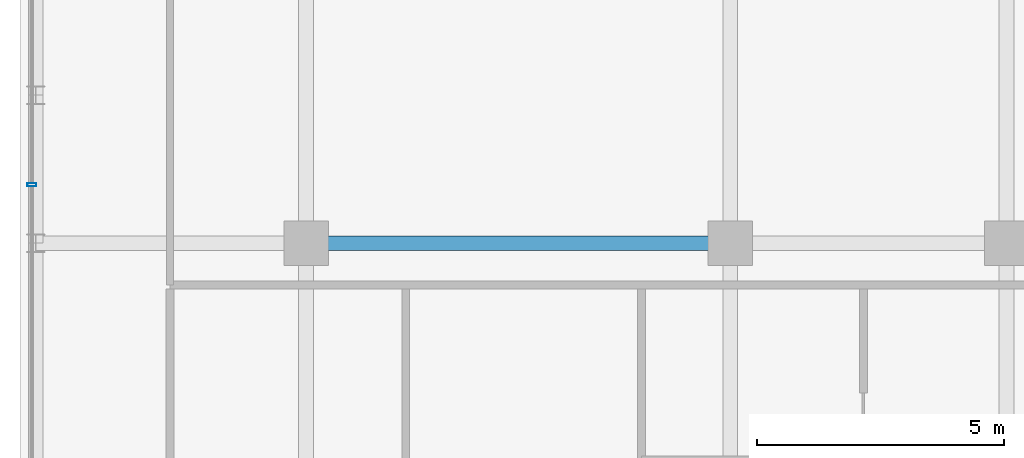
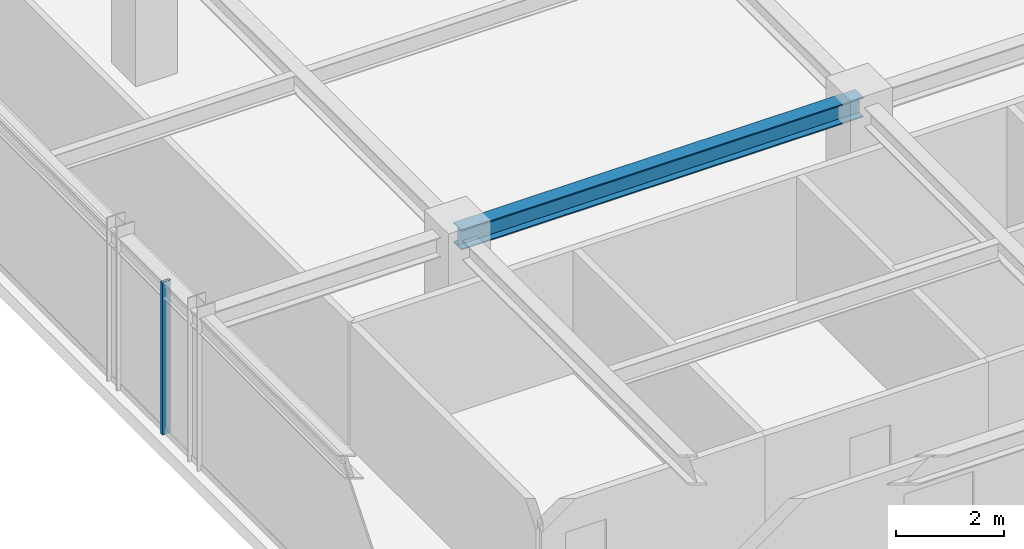
# One storey, part 10 of 31: 1 beam, 1 member, 1 element without a shape of its own.
"""IFC4 building model written with IfcOpenShell, lengths in metres."""

from ifc_helpers import new_model, si_unit, direction, frame, origin, origin_2d, place, context, subcontext, project, spatial, hollow_rectangle, i_section, extrude, source, transform, mapped, material, material_profile, profile_set, type_object, element, aggregate, save


model = new_model("IFC4")

# Units and contexts
model_context = context("Model", 3, precision=1e-05, world=origin(), true_north=direction((0.0, 1.0)))
body_context = subcontext(model_context, "Body", "Model", "MODEL_VIEW")
ifc_project = project(units=[si_unit("LENGTHUNIT", "METRE"), si_unit("AREAUNIT", "SQUARE_METRE"), si_unit("VOLUMEUNIT", "CUBIC_METRE"), si_unit("PLANEANGLEUNIT", "RADIAN"), si_unit("MASSUNIT", "GRAM", prefix="KILO")], contexts=[model_context])

# Site, building, storey
site_placement = place(None, origin())
site = spatial("IfcSite", under=ifc_project, at=site_placement, CompositionType="ELEMENT")
building_placement = place(site_placement, origin())
building = spatial("IfcBuilding", under=site, at=building_placement, Name="Nahalor Promenade Grand Hotel", CompositionType="ELEMENT")
storey_placement = place(building_placement, frame((0.0, 0.0, 281.300048828125)))
storey = spatial("IfcBuildingStorey", under=building, at=storey_placement, Name="L72", CompositionType="ELEMENT", Elevation=281.300048828125)

# Beam
ifc_material_1 = material(Name="Steel S355JR", Category="steel")
ifc_material_profile_1 = material_profile(ifc_material_1, i_section(OverallWidth=0.3, OverallDepth=0.45, WebThickness=0.014, FlangeThickness=0.026, at=origin_2d()), Name="HEB 450")
ifc_profile_set_1 = profile_set([ifc_material_profile_1], Name="Steel S355JR")
beam_type = type_object("IfcBeamType", Name="Beam-Girder-HEB450", PredefinedType="BEAM", material=ifc_profile_set_1)
shared_shape_1 = source(origin(), body_context, "Body", "SweptSolid", [
    extrude(i_section(OverallWidth=0.3, OverallDepth=0.45, WebThickness=0.014, FlangeThickness=0.026, at=origin_2d()), origin(), (0.0, 0.0, 1.0), 8.60009765625),
])
beam_placement = place(storey_placement, frame((-17.0, 5.39990234375, 3.224853515625), z_axis=(1.0, 0.0, 0.0), x_axis=(0.0, 1.0, 0.0)))
element("IfcBeam", 1, at=beam_placement, inside=storey, type_object=beam_type, Name="BM-L72-GX-2-1", PredefinedType="BEAM", context=body_context, shape_type="MappedRepresentation", body=[
    mapped(shared_shape_1, transform((0.0, 0.0, 0.0), scale=1.0)),
])

# Curtain wall, member
ifc_material_2 = material(Name="Anodised Bronze Aluminium EN AW-6063 T6", Category="aluminium")
curtain_wall_type = type_object("IfcCurtainWallType", Name="CW2 Typical Hotel Flush Bronze Unitised Curtain Wall", PredefinedType="USERDEFINED", material=ifc_material_2)
curtain_wall_placement = place(storey_placement, origin())
curtain_wall = element("IfcCurtainWall", 2, at=curtain_wall_placement, inside=storey, type_object=curtain_wall_type, Name="L72 Curtain Wall CW-L72-W-1", ObjectType="UNITISED_CURTAIN_WALL", PredefinedType="USERDEFINED")
ifc_material_profile_2 = material_profile(ifc_material_2, hollow_rectangle(XDim=0.065, YDim=0.18, WallThickness=0.004, at=origin_2d()), Name="CWM 65x180x4")
ifc_profile_set_2 = profile_set([ifc_material_profile_2], Name="Anodised Bronze Aluminium EN AW-6063 T6")
member_type = type_object("IfcMemberType", Name="CWM2 Typical Bronze Mullion 65x180", PredefinedType="MULLION", material=ifc_profile_set_2)
shared_shape_2 = source(origin(), body_context, "Body", "SweptSolid", [
    extrude(hollow_rectangle(XDim=0.065, YDim=0.18, WallThickness=0.004, at=origin_2d()), origin(), (0.0, 0.0, 1.0), 3.449951171875),
])
member_placement = place(storey_placement, frame((-22.56005859375, 6.586669921875, 0.0), z_axis=(0.0, 0.0, 1.0), x_axis=(0.0, 1.0, 0.0)))
member = element("IfcMember", 3, at=member_placement, type_object=member_type, Name="CW-L72-W-1 Mullion 2", PredefinedType="MULLION", context=body_context, shape_type="MappedRepresentation", body=[
    mapped(shared_shape_2, transform((0.0, 0.0, 0.0), scale=1.0)),
])
aggregate(curtain_wall, [member])

save(model, "model.ifc")
